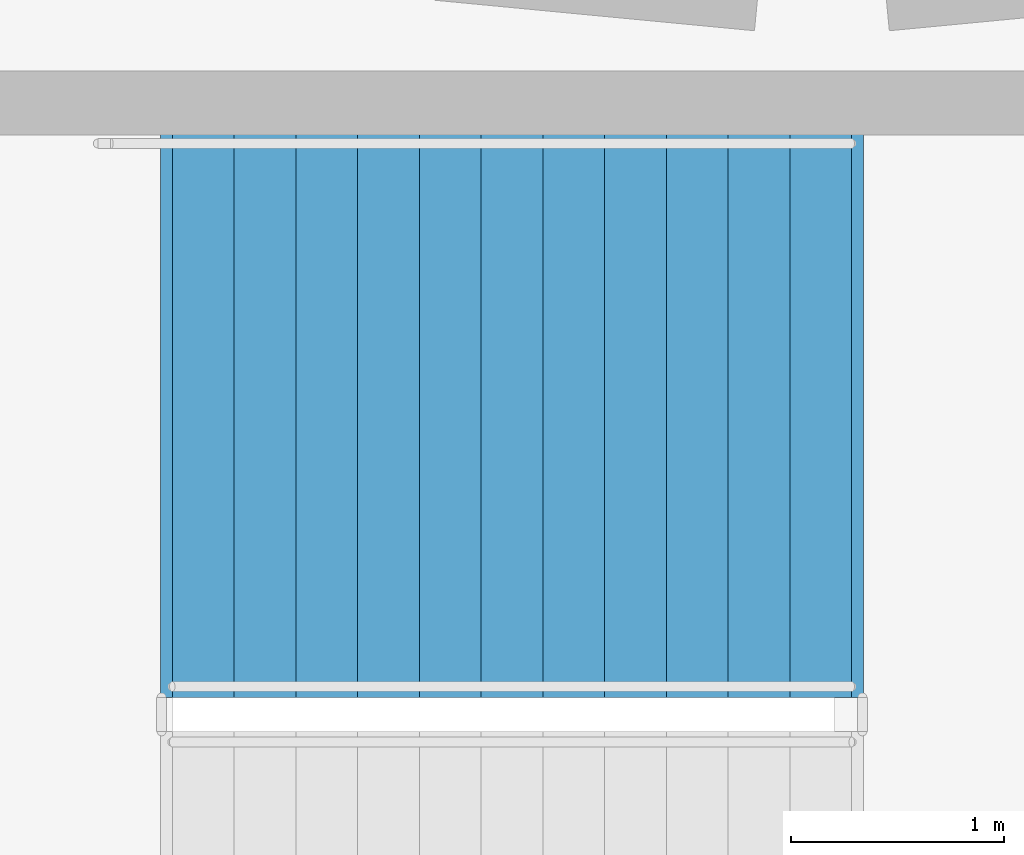
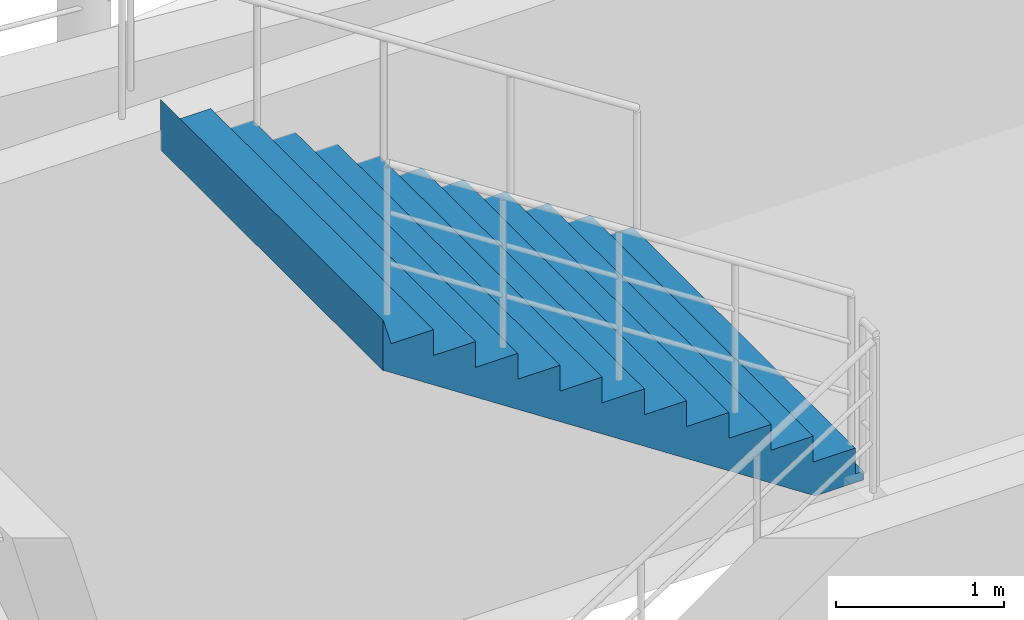
# One storey, part 32 of 45: 1 stair flight, 1 element without a shape of its own.
"""IFC4 building model written with IfcOpenShell, lengths in metres."""

from ifc_helpers import new_model, si_unit, direction, frame, origin, place, context, subcontext, project, spatial, polyline, outline, extrude, material, type_object, element, aggregate, save


model = new_model("IFC4")

# Units and contexts
model_context = context("Model", 3, precision=1e-05, world=origin(), true_north=direction((0.0, 1.0)))
body_context = subcontext(model_context, "Body", "Model", "MODEL_VIEW")
ifc_project = project(units=[si_unit("LENGTHUNIT", "METRE"), si_unit("AREAUNIT", "SQUARE_METRE"), si_unit("VOLUMEUNIT", "CUBIC_METRE"), si_unit("PLANEANGLEUNIT", "RADIAN"), si_unit("MASSUNIT", "GRAM", prefix="KILO")], contexts=[model_context])

# Site, building, storey
site_placement = place(None, origin())
site = spatial("IfcSite", under=ifc_project, at=site_placement, CompositionType="ELEMENT")
building_placement = place(site_placement, origin())
building = spatial("IfcBuilding", under=site, at=building_placement, Name="Cinderbank Siding Concert Hall", CompositionType="ELEMENT")
storey_placement = place(building_placement, frame((0.0, 0.0, 19.199951171875)))
storey = spatial("IfcBuildingStorey", under=building, at=storey_placement, Name="L05", CompositionType="ELEMENT", Elevation=19.199951171875)

# Stair, stair flight
ifc_material = material(Name="Reinforced concrete AS 3600 N50 (50 MPa)", Category="concrete")
stair_type = type_object("IfcStairType", Name="STR-A Dogleg Exit Stair 2650mm", PredefinedType="HALF_TURN_STAIR", material=ifc_material)
stair_placement = place(storey_placement, origin())
stair = element("IfcStair", 1, at=stair_placement, inside=storey, type_object=stair_type, Name="L05 Fire-isolated Exit Stair ST-02", PredefinedType="HALF_TURN_STAIR")
stair_flight_type = type_object("IfcStairFlightType", Name="SFL-A Concrete Stair Flight 2650mm", PredefinedType="STRAIGHT", material=ifc_material)
stair_flight_placement = place(storey_placement, frame((122.139892578125, 27.8349609375, 2.25), z_axis=(0.0, 0.0, 1.0), x_axis=(-1.0, 0.0, 0.0)))
stair_flight = element("IfcStairFlight", 2, at=stair_flight_placement, type_object=stair_flight_type, Name="ST-02 flight 2", NumberOfRisers=12, NumberOfTreads=11, PredefinedType="STRAIGHT", RiserHeight=0.1875, TreadLength=0.29, context=body_context, shape_type="SweptSolid", body=[
    extrude(outline(polyline([(0.0, 0.0), (0.0, 0.1875), (0.2900390625, 0.1875), (0.2900390625, 0.375), (0.580078125, 0.375), (0.580078125, 0.5625), (0.8701171875, 0.5625), (0.8701171875, 0.75), (1.159912109375, 0.75), (1.159912109375, 0.9375), (1.449951171875, 0.9375), (1.449951171875, 1.125), (1.739990234375, 1.125), (1.739990234375, 1.3125), (2.030029296875, 1.3125), (2.030029296875, 1.5), (2.320068359375, 1.5), (2.320068359375, 1.6875), (2.610107421875, 1.6875), (2.610107421875, 1.875), (2.89990234375, 1.875), (2.89990234375, 2.0625), (3.18994140625, 2.0625), (3.244873046875, 2.25), (3.244873046875, 1.884033203125), (3.24462890625, 1.88427734375), (3.24462890625, 1.884521484375), (3.24462890625, 1.884765625), (3.24462890625, 1.885009765625), (3.24462890625, 1.88525390625), (3.24462890625, 1.885498046875), (3.24462890625, 1.8857421875), (3.24462890625, 1.885986328125), (3.24462890625, 1.88623046875), (3.24462890625, 1.886474609375), (3.24462890625, 1.88671875), (3.24462890625, 1.886962890625), (3.244384765625, 1.886962890625), (3.244384765625, 1.88671875), (3.244384765625, 1.886474609375), (3.244384765625, 1.88623046875), (3.244384765625, 1.885986328125), (3.244384765625, 1.8857421875), (3.244384765625, 1.885498046875), (3.244384765625, 1.88525390625), (3.244384765625, 1.885009765625), (3.244384765625, 1.884765625), (3.244384765625, 1.884521484375), (3.244384765625, 1.88427734375), (3.244384765625, 1.884033203125), (3.244140625, 1.88427734375), (3.244140625, 1.884521484375), (3.244140625, 1.884765625), (3.244140625, 1.885009765625), (3.244140625, 1.88525390625), (3.244140625, 1.885498046875), (3.244140625, 1.8857421875), (3.244140625, 1.885986328125), (3.244140625, 1.88623046875), (3.244140625, 1.886474609375), (3.244140625, 1.88671875), (3.244140625, 1.886962890625), (3.243896484375, 1.886962890625), (3.243896484375, 1.88671875), (3.243896484375, 1.886474609375), (3.243896484375, 1.88623046875), (3.243896484375, 1.885986328125), (3.243896484375, 1.8857421875), (3.243896484375, 1.885498046875), (3.243896484375, 1.88525390625), (3.243896484375, 1.885009765625), (3.243896484375, 1.884765625), (3.243896484375, 1.884521484375), (3.243896484375, 1.88427734375), (3.243896484375, 1.884033203125), (3.24365234375, 1.88427734375), (3.24365234375, 1.884521484375), (3.24365234375, 1.884765625), (3.24365234375, 1.885009765625), (3.24365234375, 1.88525390625), (3.24365234375, 1.885498046875), (3.24365234375, 1.8857421875), (3.24365234375, 1.885986328125), (3.24365234375, 1.88623046875), (3.24365234375, 1.886474609375), (3.24365234375, 1.88671875), (3.24365234375, 1.886962890625), (3.243408203125, 1.886962890625), (3.243408203125, 1.88671875), (3.243408203125, 1.886474609375), (3.243408203125, 1.88623046875), (3.243408203125, 1.885986328125), (3.243408203125, 1.8857421875), (3.243408203125, 1.885498046875), (3.243408203125, 1.88525390625), (3.243408203125, 1.885009765625), (3.243408203125, 1.884765625), (3.243408203125, 1.884521484375), (3.243408203125, 1.88427734375), (3.243408203125, 1.884033203125), (3.2431640625, 1.88427734375), (3.2431640625, 1.884521484375), (3.2431640625, 1.884765625), (3.2431640625, 1.885009765625), (3.2431640625, 1.88525390625), (3.2431640625, 1.885498046875), (3.2431640625, 1.8857421875), (3.2431640625, 1.885986328125), (3.2431640625, 1.88623046875), (3.2431640625, 1.886474609375), (3.2431640625, 1.88671875), (3.2431640625, 1.886962890625), (3.242919921875, 1.886962890625), (3.242919921875, 1.88671875), (3.242919921875, 1.886474609375), (3.242919921875, 1.88623046875), (3.242919921875, 1.885986328125), (3.242919921875, 1.8857421875), (3.242919921875, 1.885498046875), (3.242919921875, 1.88525390625), (3.242919921875, 1.885009765625), (3.242919921875, 1.884765625), (3.242919921875, 1.884521484375), (3.242919921875, 1.88427734375), (3.242919921875, 1.884033203125), (3.24267578125, 1.88427734375), (3.24267578125, 1.884521484375), (3.24267578125, 1.884765625), (3.24267578125, 1.885009765625), (3.24267578125, 1.88525390625), (3.24267578125, 1.885498046875), (3.24267578125, 1.8857421875), (3.24267578125, 1.885986328125), (3.24267578125, 1.88623046875), (3.24267578125, 1.886474609375), (3.24267578125, 1.88671875), (3.24267578125, 1.886962890625), (3.242431640625, 1.886962890625), (3.242431640625, 1.88671875), (3.242431640625, 1.886474609375), (3.242431640625, 1.88623046875), (3.242431640625, 1.885986328125), (3.242431640625, 1.8857421875), (3.242431640625, 1.885498046875), (3.242431640625, 1.88525390625), (3.242431640625, 1.885009765625), (3.242431640625, 1.884765625), (3.242431640625, 1.884521484375), (3.242431640625, 1.88427734375), (3.242431640625, 1.884033203125), (3.2421875, 1.88427734375), (3.2421875, 1.884521484375), (3.2421875, 1.884765625), (3.2421875, 1.885009765625), (3.2421875, 1.88525390625), (3.2421875, 1.885498046875), (3.2421875, 1.8857421875), (3.2421875, 1.885986328125), (3.2421875, 1.88623046875), (3.2421875, 1.886474609375), (3.2421875, 1.88671875), (3.2421875, 1.886962890625), (3.241943359375, 1.886962890625), (3.241943359375, 1.88671875), (3.241943359375, 1.886474609375), (3.241943359375, 1.88623046875), (3.241943359375, 1.885986328125), (3.241943359375, 1.8857421875), (3.241943359375, 1.885498046875), (3.241943359375, 1.88525390625), (3.241943359375, 1.885009765625), (3.241943359375, 1.884765625), (3.241943359375, 1.884521484375), (3.241943359375, 1.88427734375), (3.241943359375, 1.884033203125), (3.24169921875, 1.88427734375), (3.24169921875, 1.884521484375), (3.24169921875, 1.884765625), (3.24169921875, 1.885009765625), (3.24169921875, 1.88525390625), (3.24169921875, 1.885498046875), (3.24169921875, 1.8857421875), (3.24169921875, 1.885986328125), (3.24169921875, 1.88623046875), (3.24169921875, 1.886474609375), (3.24169921875, 1.88671875), (3.24169921875, 1.886962890625), (3.241455078125, 1.886962890625), (3.241455078125, 1.88671875), (3.241455078125, 1.886474609375), (3.241455078125, 1.88623046875), (3.241455078125, 1.885986328125), (3.241455078125, 1.8857421875), (3.241455078125, 1.885498046875), (3.241455078125, 1.88525390625), (3.241455078125, 1.885009765625), (3.241455078125, 1.884765625), (3.241455078125, 1.884521484375), (3.241455078125, 1.88427734375), (3.241455078125, 1.884033203125), (3.2412109375, 1.88427734375), (3.2412109375, 1.884521484375), (3.2412109375, 1.884765625), (3.2412109375, 1.885009765625), (3.2412109375, 1.88525390625), (3.2412109375, 1.885498046875), (3.2412109375, 1.8857421875), (3.2412109375, 1.885986328125), (3.2412109375, 1.88623046875), (3.2412109375, 1.886474609375), (3.2412109375, 1.88671875), (3.2412109375, 1.886962890625), (3.240966796875, 1.886962890625), (3.240966796875, 1.88671875), (3.240966796875, 1.886474609375), (3.240966796875, 1.88623046875), (3.240966796875, 1.885986328125), (3.240966796875, 1.8857421875), (3.240966796875, 1.885498046875), (3.240966796875, 1.88525390625), (3.240966796875, 1.885009765625), (3.240966796875, 1.884765625), (3.240966796875, 1.884521484375), (3.240966796875, 1.88427734375), (3.240966796875, 1.884033203125), (3.24072265625, 1.88427734375), (3.24072265625, 1.884521484375), (3.24072265625, 1.884765625), (3.24072265625, 1.885009765625), (3.24072265625, 1.88525390625), (3.24072265625, 1.885498046875), (3.24072265625, 1.8857421875), (3.24072265625, 1.885986328125), (3.24072265625, 1.88623046875), (3.24072265625, 1.886474609375), (3.24072265625, 1.88671875), (3.24072265625, 1.886962890625), (3.240478515625, 1.886962890625), (3.240478515625, 1.88671875), (3.240478515625, 1.886474609375), (3.240478515625, 1.88623046875), (3.240478515625, 1.885986328125), (3.240478515625, 1.8857421875), (3.240478515625, 1.885498046875), (3.240478515625, 1.88525390625), (3.240478515625, 1.885009765625), (3.240478515625, 1.884765625), (3.240478515625, 1.884521484375), (3.240478515625, 1.88427734375), (3.240478515625, 1.884033203125), (3.240234375, 1.88427734375), (3.240234375, 1.884521484375), (3.240234375, 1.884765625), (3.240234375, 1.885009765625), (3.240234375, 1.88525390625), (3.240234375, 1.885498046875), (3.240234375, 1.8857421875), (3.240234375, 1.885986328125), (3.240234375, 1.88623046875), (3.240234375, 1.886474609375), (3.240234375, 1.88671875), (3.240234375, 1.886962890625), (3.239990234375, 1.886962890625), (3.239990234375, 1.88671875), (3.239990234375, 1.886474609375), (3.239990234375, 1.88623046875), (3.239990234375, 1.885986328125), (3.239990234375, 1.8857421875), (3.239990234375, 1.885498046875), (3.239990234375, 1.88525390625), (3.239990234375, 1.885009765625), (3.239990234375, 1.884765625), (3.239990234375, 1.884521484375), (3.239990234375, 1.88427734375), (3.239990234375, 1.884033203125), (3.23974609375, 1.88427734375), (3.23974609375, 1.884521484375), (3.23974609375, 1.884765625), (3.23974609375, 1.885009765625), (3.23974609375, 1.88525390625), (3.23974609375, 1.885498046875), (3.23974609375, 1.8857421875), (3.23974609375, 1.885986328125), (3.23974609375, 1.88623046875), (3.23974609375, 1.886474609375), (3.23974609375, 1.88671875), (3.23974609375, 1.886962890625), (3.239501953125, 1.886962890625), (3.239501953125, 1.88671875), (3.239501953125, 1.886474609375), (3.239501953125, 1.88623046875), (3.239501953125, 1.885986328125), (3.239501953125, 1.8857421875), (3.239501953125, 1.885498046875), (3.239501953125, 1.88525390625), (3.239501953125, 1.885009765625), (3.239501953125, 1.884765625), (3.239501953125, 1.884521484375), (3.239501953125, 1.88427734375), (3.239501953125, 1.884033203125), (3.2392578125, 1.88427734375), (3.2392578125, 1.884521484375), (3.2392578125, 1.884765625), (3.2392578125, 1.885009765625), (3.2392578125, 1.88525390625), (3.2392578125, 1.885498046875), (3.2392578125, 1.8857421875), (3.2392578125, 1.885986328125), (3.2392578125, 1.88623046875), (3.2392578125, 1.886474609375), (3.2392578125, 1.88671875), (3.2392578125, 1.886962890625), (3.239013671875, 1.886962890625), (3.239013671875, 1.88671875), (3.239013671875, 1.886474609375), (3.239013671875, 1.88623046875), (3.239013671875, 1.885986328125), (3.239013671875, 1.8857421875), (3.239013671875, 1.885498046875), (3.239013671875, 1.88525390625), (3.239013671875, 1.885009765625), (3.239013671875, 1.884765625), (3.239013671875, 1.884521484375), (3.239013671875, 1.88427734375), (3.239013671875, 1.884033203125), (3.23876953125, 1.88427734375), (3.23876953125, 1.884521484375), (3.23876953125, 1.884765625), (3.23876953125, 1.885009765625), (3.23876953125, 1.88525390625), (3.23876953125, 1.885498046875), (3.23876953125, 1.8857421875), (3.23876953125, 1.885986328125), (3.23876953125, 1.88623046875), (3.23876953125, 1.886474609375), (3.23876953125, 1.88671875), (3.23876953125, 1.886962890625), (3.238525390625, 1.886962890625), (3.238525390625, 1.88671875), (3.238525390625, 1.886474609375), (3.238525390625, 1.88623046875), (3.238525390625, 1.885986328125), (3.238525390625, 1.8857421875), (3.238525390625, 1.885498046875), (3.238525390625, 1.88525390625), (3.238525390625, 1.885009765625), (3.238525390625, 1.884765625), (3.238525390625, 1.884521484375), (3.238525390625, 1.88427734375), (3.238525390625, 1.884033203125), (0.276123046875, -0.06396484375), (-0.048583984375, -0.063720703125), (-0.048583984375, -0.0634765625), (-0.048583984375, -0.063232421875), (-0.048583984375, -0.06298828125), (-0.048583984375, -0.062744140625), (-0.048583984375, -0.0625), (-0.048583984375, -0.062255859375), (-0.048583984375, -0.06201171875), (-0.048583984375, -0.061767578125), (-0.048583984375, -0.0615234375), (-0.048583984375, -0.061279296875), (-0.048583984375, -0.06103515625), (-0.048828125, -0.06103515625), (-0.048828125, -0.061279296875), (-0.048828125, -0.0615234375), (-0.048828125, -0.061767578125), (-0.048828125, -0.06201171875), (-0.048828125, -0.062255859375), (-0.048828125, -0.0625), (-0.048828125, -0.062744140625), (-0.048828125, -0.06298828125), (-0.048828125, -0.063232421875), (-0.048828125, -0.0634765625), (-0.048828125, -0.063720703125), (-0.048828125, -0.06396484375), (-0.049072265625, -0.063720703125), (-0.049072265625, -0.0634765625), (-0.049072265625, -0.063232421875), (-0.049072265625, -0.06298828125), (-0.049072265625, -0.062744140625), (-0.049072265625, -0.0625), (-0.049072265625, -0.062255859375), (-0.049072265625, -0.06201171875), (-0.049072265625, -0.061767578125), (-0.049072265625, -0.0615234375), (-0.049072265625, -0.061279296875), (-0.049072265625, -0.06103515625), (-0.04931640625, -0.06103515625), (-0.04931640625, -0.061279296875), (-0.04931640625, -0.0615234375), (-0.04931640625, -0.061767578125), (-0.04931640625, -0.06201171875), (-0.04931640625, -0.062255859375), (-0.04931640625, -0.0625), (-0.04931640625, -0.062744140625), (-0.04931640625, -0.06298828125), (-0.04931640625, -0.063232421875), (-0.04931640625, -0.0634765625), (-0.04931640625, -0.063720703125), (-0.04931640625, -0.06396484375), (-0.049560546875, -0.063720703125), (-0.049560546875, -0.0634765625), (-0.049560546875, -0.063232421875), (-0.049560546875, -0.06298828125), (-0.049560546875, -0.062744140625), (-0.049560546875, -0.0625), (-0.049560546875, -0.062255859375), (-0.049560546875, -0.06201171875), (-0.049560546875, -0.061767578125), (-0.049560546875, -0.0615234375), (-0.049560546875, -0.061279296875), (-0.049560546875, -0.06103515625), (-0.0498046875, -0.06103515625), (-0.0498046875, -0.061279296875), (-0.0498046875, -0.0615234375), (-0.0498046875, -0.061767578125), (-0.0498046875, -0.06201171875), (-0.0498046875, -0.062255859375), (-0.0498046875, -0.0625), (-0.0498046875, -0.062744140625), (-0.0498046875, -0.06298828125), (-0.0498046875, -0.063232421875), (-0.0498046875, -0.0634765625), (-0.0498046875, -0.063720703125), (-0.0498046875, -0.06396484375), (-0.050048828125, -0.063720703125), (-0.050048828125, -0.0634765625), (-0.050048828125, -0.063232421875), (-0.050048828125, -0.06298828125), (-0.050048828125, -0.062744140625), (-0.050048828125, -0.0625), (-0.050048828125, -0.062255859375), (-0.050048828125, -0.06201171875), (-0.050048828125, -0.061767578125), (-0.050048828125, -0.0615234375), (-0.050048828125, -0.061279296875), (-0.050048828125, -0.06103515625), (-0.05029296875, -0.06103515625), (-0.05029296875, -0.061279296875), (-0.05029296875, -0.0615234375), (-0.05029296875, -0.061767578125), (-0.05029296875, -0.06201171875), (-0.05029296875, -0.062255859375), (-0.05029296875, -0.0625), (-0.05029296875, -0.062744140625), (-0.05029296875, -0.06298828125), (-0.05029296875, -0.063232421875), (-0.05029296875, -0.0634765625), (-0.05029296875, -0.063720703125), (-0.05029296875, -0.06396484375), (-0.050537109375, -0.063720703125), (-0.050537109375, -0.0634765625), (-0.050537109375, -0.063232421875), (-0.050537109375, -0.06298828125), (-0.050537109375, -0.062744140625), (-0.050537109375, -0.0625), (-0.050537109375, -0.062255859375), (-0.050537109375, -0.06201171875), (-0.050537109375, -0.061767578125), (-0.050537109375, -0.0615234375), (-0.050537109375, -0.061279296875), (-0.050537109375, -0.06103515625), (-0.05078125, -0.06103515625), (-0.05078125, -0.061279296875), (-0.05078125, -0.0615234375), (-0.05078125, -0.061767578125), (-0.05078125, -0.06201171875), (-0.05078125, -0.062255859375), (-0.05078125, -0.0625), (-0.05078125, -0.062744140625), (-0.05078125, -0.06298828125), (-0.05078125, -0.063232421875), (-0.05078125, -0.0634765625), (-0.05078125, -0.063720703125), (-0.05078125, -0.06396484375), (-0.051025390625, -0.063720703125), (-0.051025390625, -0.0634765625), (-0.051025390625, -0.063232421875), (-0.051025390625, -0.06298828125), (-0.051025390625, -0.062744140625), (-0.051025390625, -0.0625), (-0.051025390625, -0.062255859375), (-0.051025390625, -0.06201171875), (-0.051025390625, -0.061767578125), (-0.051025390625, -0.0615234375), (-0.051025390625, -0.061279296875), (-0.051025390625, -0.06103515625), (-0.05126953125, -0.06103515625), (-0.05126953125, -0.061279296875), (-0.05126953125, -0.0615234375), (-0.05126953125, -0.061767578125), (-0.05126953125, -0.06201171875), (-0.05126953125, -0.062255859375), (-0.05126953125, -0.0625), (-0.05126953125, -0.062744140625), (-0.05126953125, -0.06298828125), (-0.05126953125, -0.063232421875), (-0.05126953125, -0.0634765625), (-0.05126953125, -0.063720703125), (-0.05126953125, -0.06396484375), (-0.051513671875, -0.063720703125), (-0.051513671875, -0.0634765625), (-0.051513671875, -0.063232421875), (-0.051513671875, -0.06298828125), (-0.051513671875, -0.062744140625), (-0.051513671875, -0.0625), (-0.051513671875, -0.062255859375), (-0.051513671875, -0.06201171875), (-0.051513671875, -0.061767578125), (-0.051513671875, -0.0615234375), (-0.051513671875, -0.061279296875), (-0.051513671875, -0.06103515625), (-0.0517578125, -0.06103515625), (-0.0517578125, -0.061279296875), (-0.0517578125, -0.0615234375), (-0.0517578125, -0.061767578125), (-0.0517578125, -0.06201171875), (-0.0517578125, -0.062255859375), (-0.0517578125, -0.0625), (-0.0517578125, -0.062744140625), (-0.0517578125, -0.06298828125), (-0.0517578125, -0.063232421875), (-0.0517578125, -0.0634765625), (-0.0517578125, -0.063720703125), (-0.0517578125, -0.06396484375), (-0.052001953125, -0.063720703125), (-0.052001953125, -0.0634765625), (-0.052001953125, -0.063232421875), (-0.052001953125, -0.06298828125), (-0.052001953125, -0.062744140625), (-0.052001953125, -0.0625), (-0.052001953125, -0.062255859375), (-0.052001953125, -0.06201171875), (-0.052001953125, -0.061767578125), (-0.052001953125, -0.0615234375), (-0.052001953125, -0.061279296875), (-0.052001953125, -0.06103515625), (-0.05224609375, -0.06103515625), (-0.05224609375, -0.061279296875), (-0.05224609375, -0.0615234375), (-0.05224609375, -0.061767578125), (-0.05224609375, -0.06201171875), (-0.05224609375, -0.062255859375), (-0.05224609375, -0.0625), (-0.05224609375, -0.062744140625), (-0.05224609375, -0.06298828125), (-0.05224609375, -0.063232421875), (-0.05224609375, -0.0634765625), (-0.05224609375, -0.063720703125), (-0.05224609375, -0.06396484375), (-0.052490234375, -0.063720703125), (-0.052490234375, -0.0634765625), (-0.052490234375, -0.063232421875), (-0.052490234375, -0.06298828125), (-0.052490234375, -0.062744140625), (-0.052490234375, -0.0625), (-0.052490234375, -0.062255859375), (-0.052490234375, -0.06201171875), (-0.052490234375, -0.061767578125), (-0.052490234375, -0.0615234375), (-0.052490234375, -0.061279296875), (-0.052490234375, -0.06103515625), (-0.052734375, -0.06103515625), (-0.052734375, -0.061279296875), (-0.052734375, -0.0615234375), (-0.052734375, -0.061767578125), (-0.052734375, -0.06201171875), (-0.052734375, -0.062255859375), (-0.052734375, -0.0625), (-0.052734375, -0.062744140625), (-0.052734375, -0.06298828125), (-0.052734375, -0.063232421875), (-0.052734375, -0.0634765625), (-0.052734375, -0.063720703125), (-0.052734375, -0.06396484375), (-0.052978515625, -0.063720703125), (-0.052978515625, -0.0634765625), (-0.052978515625, -0.063232421875), (-0.052978515625, -0.06298828125), (-0.052978515625, -0.062744140625), (-0.052978515625, -0.0625), (-0.052978515625, -0.062255859375), (-0.052978515625, -0.06201171875), (-0.052978515625, -0.061767578125), (-0.052978515625, -0.0615234375), (-0.052978515625, -0.061279296875), (-0.052978515625, -0.06103515625), (-0.05322265625, -0.06103515625), (-0.05322265625, -0.061279296875), (-0.05322265625, -0.0615234375), (-0.05322265625, -0.061767578125), (-0.05322265625, -0.06201171875), (-0.05322265625, -0.062255859375), (-0.05322265625, -0.0625), (-0.05322265625, -0.062744140625), (-0.05322265625, -0.06298828125), (-0.05322265625, -0.063232421875), (-0.05322265625, -0.0634765625), (-0.05322265625, -0.063720703125), (-0.05322265625, -0.06396484375), (-0.053466796875, -0.063720703125), (-0.053466796875, -0.0634765625), (-0.053466796875, -0.063232421875), (-0.053466796875, -0.06298828125), (-0.053466796875, -0.062744140625), (-0.053466796875, -0.0625), (-0.053466796875, -0.062255859375), (-0.053466796875, -0.06201171875), (-0.053466796875, -0.061767578125), (-0.053466796875, -0.0615234375), (-0.053466796875, -0.061279296875), (-0.053466796875, -0.06103515625), (-0.0537109375, -0.06103515625), (-0.0537109375, -0.061279296875), (-0.0537109375, -0.0615234375), (-0.0537109375, -0.061767578125), (-0.0537109375, -0.06201171875), (-0.0537109375, -0.062255859375), (-0.0537109375, -0.0625), (-0.0537109375, -0.062744140625), (-0.0537109375, -0.06298828125), (-0.0537109375, -0.063232421875), (-0.0537109375, -0.0634765625), (-0.0537109375, -0.063720703125), (-0.0537109375, -0.06396484375), (-0.053955078125, -0.063720703125), (-0.053955078125, -0.0634765625), (-0.053955078125, -0.063232421875), (-0.053955078125, -0.06298828125), (-0.053955078125, -0.062744140625), (-0.053955078125, -0.0625), (-0.053955078125, -0.062255859375), (-0.053955078125, -0.06201171875), (-0.053955078125, -0.061767578125), (-0.053955078125, -0.0615234375), (-0.053955078125, -0.061279296875), (-0.053955078125, -0.06103515625), (-0.05419921875, -0.06103515625), (-0.05419921875, -0.061279296875), (-0.05419921875, -0.0615234375), (-0.05419921875, -0.061767578125), (-0.05419921875, -0.06201171875), (-0.05419921875, -0.062255859375), (-0.05419921875, -0.0625), (-0.05419921875, -0.062744140625), (-0.05419921875, -0.06298828125), (-0.05419921875, -0.063232421875), (-0.05419921875, -0.0634765625), (-0.05419921875, -0.063720703125), (-0.05419921875, -0.06396484375), (-0.054443359375, -0.063720703125), (-0.054443359375, -0.0634765625), (-0.054443359375, -0.063232421875), (-0.054443359375, -0.06298828125), (-0.054443359375, -0.062744140625), (-0.054443359375, -0.0625), (-0.054443359375, -0.062255859375), (-0.054443359375, -0.06201171875), (-0.054443359375, -0.061767578125), (-0.054443359375, -0.0615234375), (-0.054443359375, -0.061279296875), (-0.054443359375, -0.06103515625), (-0.0546875, -0.06103515625), (-0.0546875, -0.061279296875), (-0.0546875, -0.0615234375), (-0.0546875, -0.061767578125), (-0.0546875, -0.06201171875), (-0.0546875, -0.062255859375), (-0.0546875, -0.0625), (-0.0546875, -0.062744140625), (-0.0546875, -0.06298828125), (-0.0546875, -0.063232421875), (-0.0546875, -0.0634765625), (-0.0546875, -0.063720703125), (-0.0546875, -0.06396484375), (-0.054931640625, -0.06396484375), (-0.054931640625, 0.0), (0.0, 0.0)])), frame((0.0, 1.324951171875, 0.0), z_axis=(0.0, -1.0, 0.0), x_axis=(1.0, 0.0, 0.0)), (0.0, 0.0, 1.0), 2.64990234375),
])
aggregate(stair, [stair_flight])

save(model, "model.ifc")
